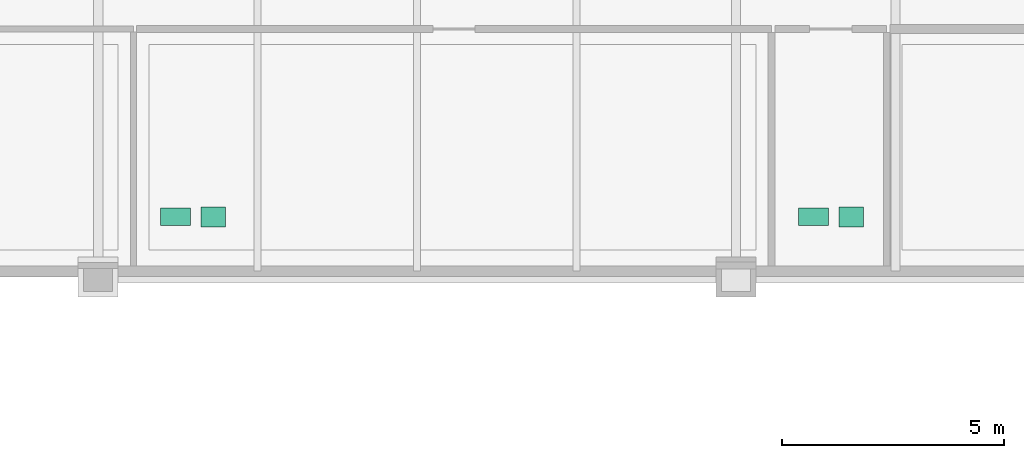
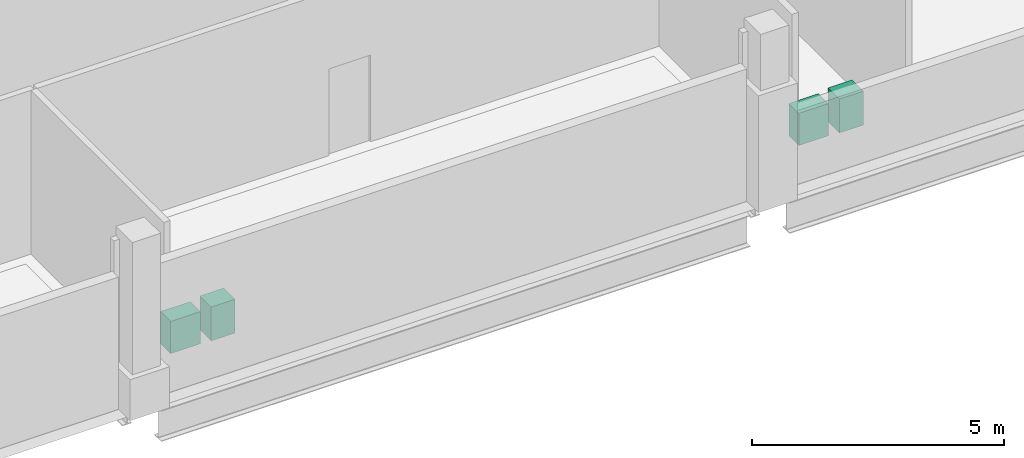
# One storey, part 68 of 68: 4 sanitary terminals.
"""IFC4 building model written with IfcOpenShell, lengths in metres."""

from ifc_helpers import new_model, si_unit, direction, frame, origin, origin_2d, place, context, subcontext, project, spatial, rectangle, extrude, material, type_object, element, save


model = new_model("IFC4")

# Units and contexts
model_context = context("Model", 3, precision=1e-05, world=origin(), true_north=direction((0.0, 1.0)))
body_context = subcontext(model_context, "Body", "Model", "MODEL_VIEW")
ifc_project = project(units=[si_unit("LENGTHUNIT", "METRE"), si_unit("AREAUNIT", "SQUARE_METRE"), si_unit("VOLUMEUNIT", "CUBIC_METRE"), si_unit("PLANEANGLEUNIT", "RADIAN"), si_unit("MASSUNIT", "GRAM", prefix="KILO"), si_unit("THERMODYNAMICTEMPERATUREUNIT", "KELVIN")], contexts=[model_context])

# Site, building, storey
site_placement = place(None, origin())
site = spatial("IfcSite", under=ifc_project, at=site_placement, CompositionType="ELEMENT")
building_placement = place(site_placement, origin())
building = spatial("IfcBuilding", under=site, at=building_placement, Name="Nduvali Passage Aquatics Centre", CompositionType="ELEMENT")
storey_placement = place(building_placement, frame((0.0, 0.0, 13.199951171875)))
storey = spatial("IfcBuildingStorey", under=building, at=storey_placement, Name="L03", CompositionType="ELEMENT", Elevation=13.199951171875)

# Sanitary terminals
ifc_material = material(Name="Vitreous china sanitaryware")
sanitary_terminal_type_1 = type_object("IfcSanitaryTerminalType", Name="MEP-SAN-BAS", PredefinedType="WASHHANDBASIN", material=ifc_material)
for number, where, z_axis, x_axis, name in (
    (1, (99.800048828125, 93.760009765625, 0.0), (0.0, 0.0, 1.0), (1.0, 0.0, 0.0), "L03 L03 Teaching and Staff Toilets Washbasin"),
    (2, (114.199951171875, 93.760009765625, 0.0), (0.0, 0.0, 1.0), (1.0, 0.0, 0.0), "L03 L03 Accessible WC Washbasin"),
):
    element("IfcSanitaryTerminal", number, at=place(storey_placement, frame(where, z_axis=z_axis, x_axis=x_axis)), inside=storey, type_object=sanitary_terminal_type_1, Name=name, PredefinedType="WASHHANDBASIN", context=body_context, shape_type="SweptSolid", body=[
        extrude(rectangle(XDim=0.550048828125, YDim=0.449951171875, at=origin_2d()), origin(), (0.0, 0.0, 1.0), 0.820068359375),
    ])
sanitary_terminal_type_2 = type_object("IfcSanitaryTerminalType", Name="MEP-SAN-WC", PredefinedType="TOILETPAN", material=ifc_material)
for number, where, z_axis, x_axis, name in (
    (3, (98.949951171875, 93.760009765625, 0.0), (0.0, 0.0, 1.0), (1.0, 0.0, 0.0), "L03 L03 Teaching and Staff Toilets WC Pan"),
    (4, (113.35009765625, 93.760009765625, 0.0), (0.0, 0.0, 1.0), (1.0, 0.0, 0.0), "L03 L03 Accessible WC WC Pan"),
):
    element("IfcSanitaryTerminal", number, at=place(storey_placement, frame(where, z_axis=z_axis, x_axis=x_axis)), inside=storey, type_object=sanitary_terminal_type_2, Name=name, PredefinedType="TOILETPAN", context=body_context, shape_type="SweptSolid", body=[
        extrude(rectangle(XDim=0.679931640625, YDim=0.39990234375, at=origin_2d()), origin(), (0.0, 0.0, 1.0), 0.780029296875),
    ])

save(model, "model.ifc")
